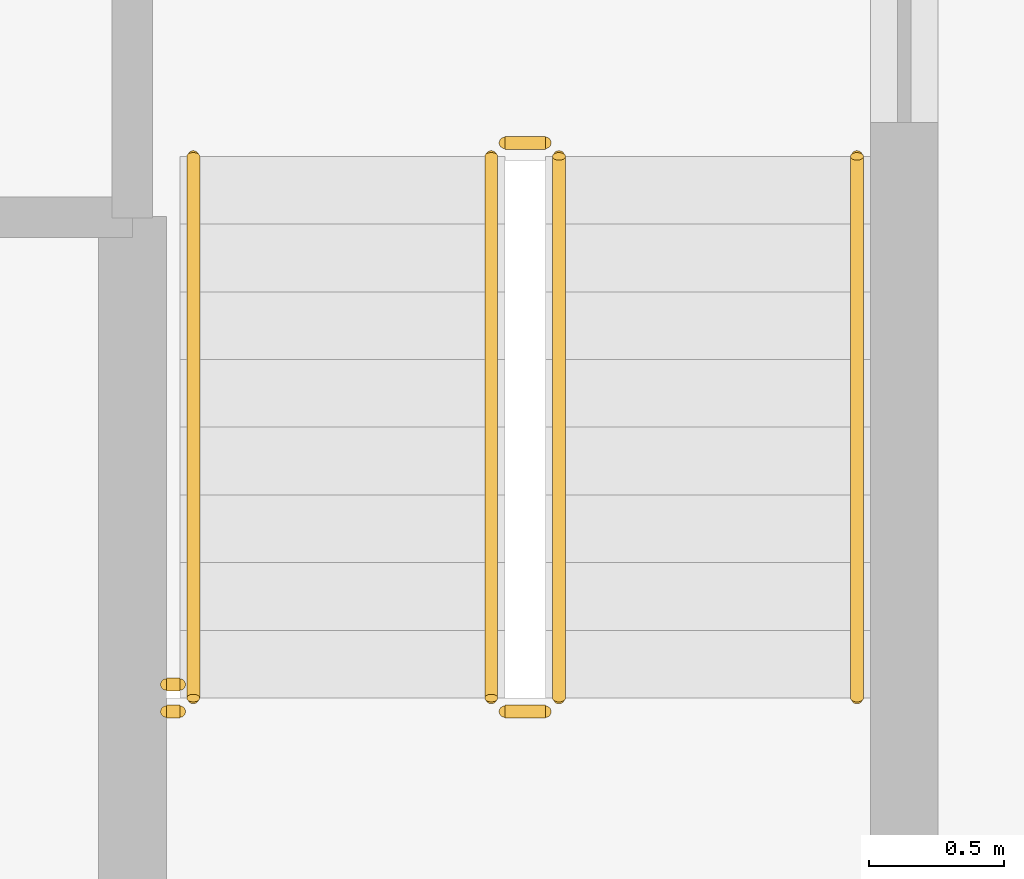
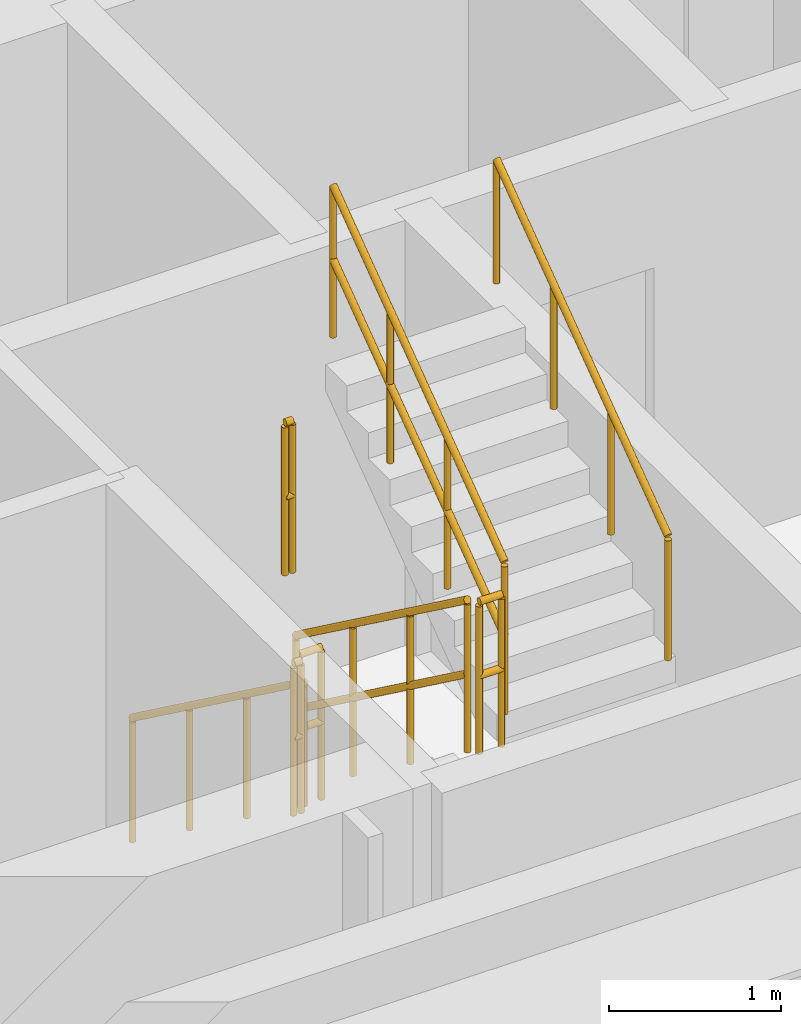
# One storey, part 13 of 15: 8 railings.
"""IFC4 building model written with IfcOpenShell, lengths in metres."""

import ifcopenshell
import ifcopenshell.guid

model = None  # the IFC model being written
_history = None  # IfcOwnerHistory: only IFC2X3 demands one
_inside = {}  # id of a spatial element -> (the spatial element, [elements in it])
_under = {}  # id of a project, library or spatial element -> (it, [spatial elements below it])
_declared = {}  # id of a project -> (the project, [libraries it declares])
_typed = {}  # id of a type object -> (the type object, [elements of that type])
_made_of = {}  # id of a material, layer set ... -> (it, [elements and type objects made of it])


def new_model(schema):
    """Start an empty IFC model of exactly this schema.

    Asked for "IFC4X3", IfcOpenShell would pick the latest addendum, in which some entities
    have other attributes; the version numbers below select the first issue.
    IFC2X3 requires an IfcOwnerHistory on every rooted entity: one is made here for all.
    """
    global model, _history
    if schema == "IFC4X3":
        model = ifcopenshell.file(schema_version=(4, 3, 0, 0))
    else:
        model = ifcopenshell.file(schema=schema)
    _inside.clear()
    _under.clear()
    _declared.clear()
    _typed.clear()
    _made_of.clear()
    _history = None
    if model.schema == "IFC2X3":
        org = make("IfcOrganization", Name="unknown")
        user = make(
            "IfcPersonAndOrganization",
            ThePerson=make("IfcPerson", FamilyName="unknown"),
            TheOrganization=org,
        )
        app = make(
            "IfcApplication",
            ApplicationDeveloper=org,
            Version="unknown",
            ApplicationFullName="unknown",
            ApplicationIdentifier="unknown",
        )
        _history = make(
            "IfcOwnerHistory",
            OwningUser=user,
            OwningApplication=app,
            ChangeAction="ADDED",
            CreationDate=0,
        )
    return model


def make(cls, **values):
    """One entity of the class cls with the attributes given. An attribute that is None is left unset."""
    return model.create_entity(
        cls, **{name: value for name, value in values.items() if value is not None}
    )


def rooted(cls, **values):
    """An entity with a GlobalId (a new one), such as an element, a storey or a relation."""
    return make(cls, GlobalId=ifcopenshell.guid.new(), OwnerHistory=_history, **values)


def si_unit(unit_type, name, prefix=None):
    """IfcSIUnit, for example si_unit("LENGTHUNIT", "METRE", prefix="MILLI")."""
    return make("IfcSIUnit", UnitType=unit_type, Prefix=prefix, Name=name)


def assignment(units):
    """IfcUnitAssignment: the units of a project."""
    return None if units is None else make("IfcUnitAssignment", Units=units)


def point(xyz):
    """IfcCartesianPoint."""
    return None if xyz is None else make("IfcCartesianPoint", Coordinates=xyz)


def direction(xyz):
    """IfcDirection."""
    return None if xyz is None else make("IfcDirection", DirectionRatios=xyz)


def frame(location, z_axis=None, x_axis=None):
    """IfcAxis2Placement3D, a coordinate frame: its origin and axes. An axis left out is left unset."""
    return make(
        "IfcAxis2Placement3D",
        Location=point(location),
        Axis=direction(z_axis),
        RefDirection=direction(x_axis),
    )


def frame_2d(location, x_axis=None):
    """IfcAxis2Placement2D, a coordinate frame in the plane: its origin and x axis."""
    return make(
        "IfcAxis2Placement2D", Location=point(location), RefDirection=direction(x_axis)
    )


def origin():
    """The frame at (0, 0, 0) with its axes left unset."""
    return frame((0.0, 0.0, 0.0))


def origin_2d():
    """The frame at (0, 0) in the plane with its x axis left unset."""
    return frame_2d((0.0, 0.0))


def place(relative_to, where):
    """IfcLocalPlacement: puts the frame where relative to a parent placement (None: the world)."""
    return make(
        "IfcLocalPlacement", PlacementRelTo=relative_to, RelativePlacement=where
    )


def context(
    kind, dimensions, precision=None, world=None, true_north=None, identifier=None
):
    """IfcGeometricRepresentationContext, for example the 3D "Model" context."""
    return make(
        "IfcGeometricRepresentationContext",
        ContextIdentifier=identifier,
        ContextType=kind,
        CoordinateSpaceDimension=dimensions,
        Precision=precision,
        WorldCoordinateSystem=world,
        TrueNorth=true_north,
    )


def subcontext(parent, identifier, kind, view, scale=None):
    """IfcGeometricRepresentationSubContext, for example "Body" below "Model"."""
    return make(
        "IfcGeometricRepresentationSubContext",
        ContextIdentifier=identifier,
        ContextType=kind,
        ParentContext=parent,
        TargetScale=scale,
        TargetView=view,
    )


def project(units=None, contexts=None):
    """IfcProject with its units and contexts."""
    return rooted(
        "IfcProject",
        Name="project",
        RepresentationContexts=contexts,
        UnitsInContext=assignment(units),
    )


def spatial(cls, under=None, at=None, **own):
    """A site, building, storey or space (cls), placed at a placement, below another one or the project."""
    s = rooted(cls, ObjectPlacement=at, **own)
    if under is not None:
        _under.setdefault(under.id(), (under, []))[1].append(s)
    return s


def profile(cls, at=None, kind="AREA", **sizes):
    """A parametric profile (cls). Its sizes go by their IFC names, for example OverallWidth=200.0."""
    return make(cls, ProfileType=kind, Position=at, **sizes)


def circle(**sizes):
    """IfcCircleProfileDef."""
    return profile("IfcCircleProfileDef", **sizes)


def extrude(swept, where, along, depth):
    """IfcExtrudedAreaSolid: the profile swept, set in the frame where, extruded along a direction by depth."""
    return make(
        "IfcExtrudedAreaSolid",
        SweptArea=swept,
        Position=where,
        ExtrudedDirection=direction(along),
        Depth=depth,
    )


def shape(context_of_items, identifier, shape_type, items):
    """IfcShapeRepresentation: the items that make up one representation, for example the "Body"."""
    return make(
        "IfcShapeRepresentation",
        ContextOfItems=context_of_items,
        RepresentationIdentifier=identifier,
        RepresentationType=shape_type,
        Items=items,
    )


def material(Name=None, Category=None):
    """IfcMaterial."""
    return make("IfcMaterial", Name=Name, Category=Category)


def made_of(thing, what):
    """Note that an element or type object is made of a material, layer set ...; save() writes the relation."""
    if what is not None:
        _made_of.setdefault(what.id(), (what, []))[1].append(thing)
    return thing


def type_object(cls, material=None, **own):
    """A type object (cls), such as IfcWallType, which elements share."""
    return made_of(rooted(cls, **own), material)


def element(
    cls,
    number,
    at=None,
    inside=None,
    cuts=None,
    type_object=None,
    material=None,
    context=None,
    identifier="Body",
    shape_type=None,
    held_by="IfcProductDefinitionShape",
    body=None,
    shapes=None,
    **own,
):
    """One element of the class cls, such as IfcWall. Its Tag is "e" and its number.

    at: its placement. inside: the storey or other place that contains it. cuts: it is an
    opening in that element (IfcRelVoidsElement). A single representation is given by context,
    identifier, shape_type and body (its items); several are given by shapes. held_by: the class
    of the entity that holds the representations. save() writes the other relations.
    """
    e = rooted(cls, Tag="e%d" % number, ObjectPlacement=at, **own)
    if body is not None:
        shapes = [shape(context, identifier, shape_type, body)]
    if shapes is not None:
        e.Representation = make(held_by, Representations=shapes)
    if inside is not None:
        _inside.setdefault(inside.id(), (inside, []))[1].append(e)
    if cuts is not None:
        rooted(
            "IfcRelVoidsElement", RelatingBuildingElement=cuts, RelatedOpeningElement=e
        )
    if type_object is not None:
        _typed.setdefault(type_object.id(), (type_object, []))[1].append(e)
    return made_of(e, material)


def aggregate(whole, parts):
    """IfcRelAggregates: a whole, such as a stair, and the parts it consists of."""
    return rooted("IfcRelAggregates", RelatingObject=whole, RelatedObjects=parts)


def save(model, path):
    """Write the relations noted so far, then the file.

    IfcRelAggregates (storeys below a building ...), IfcRelContainedInSpatialStructure (elements
    in a storey), IfcRelDefinesByType, IfcRelAssociatesMaterial and IfcRelDeclares: one each for
    every whole, place, type object, material and project.
    """
    for whole, parts in _under.values():
        aggregate(whole, parts)
    for where, things in _inside.values():
        rooted(
            "IfcRelContainedInSpatialStructure",
            RelatedElements=things,
            RelatingStructure=where,
        )
    for kind, things in _typed.values():
        rooted("IfcRelDefinesByType", RelatedObjects=things, RelatingType=kind)
    for what, things in _made_of.values():
        rooted("IfcRelAssociatesMaterial", RelatedObjects=things, RelatingMaterial=what)
    for by, libraries in _declared.values():
        rooted("IfcRelDeclares", RelatingContext=by, RelatedDefinitions=libraries)
    model.write(path)


model = new_model("IFC4")

# Units and contexts
model_context = context("Model", 3, precision=1e-05, world=origin(), true_north=direction((0.0, 1.0)))
body_context = subcontext(model_context, "Body", "Model", "MODEL_VIEW")
ifc_project = project(units=[si_unit("LENGTHUNIT", "METRE"), si_unit("AREAUNIT", "SQUARE_METRE"), si_unit("VOLUMEUNIT", "CUBIC_METRE"), si_unit("PLANEANGLEUNIT", "RADIAN"), si_unit("MASSUNIT", "GRAM", prefix="KILO")], contexts=[model_context])

# Site, building, storey
site_placement = place(None, origin())
site = spatial("IfcSite", under=ifc_project, at=site_placement, CompositionType="ELEMENT")
building_placement = place(site_placement, origin())
building = spatial("IfcBuilding", under=site, at=building_placement, Name="Nakaniwa Court", CompositionType="ELEMENT")
storey_placement = place(building_placement, frame((0.0, 0.0, 186.60009765625)))
storey = spatial("IfcBuildingStorey", under=building, at=storey_placement, Name="L48", CompositionType="ELEMENT", Elevation=186.60009765625)

# Railings
ifc_material_1 = material(Name="Black powder coated steel guard", Category="steel")
railing_type_1 = type_object("IfcRailingType", Name="Stair guard 1100", PredefinedType="GUARDRAIL", material=ifc_material_1)
railing_1_placement = place(storey_placement, frame((81.875, 61.824951171875, 0.183349609375)))
element("IfcRailing", 1, at=railing_1_placement, inside=storey, type_object=railing_type_1, Name="L48 ST4 stair guard 1", PredefinedType="GUARDRAIL", context=body_context, shape_type="SweptSolid", body=[
    extrude(circle(Radius=0.02392578125, at=origin_2d()), frame((0.0, 0.0, 1.076171875), z_axis=(0.0, -0.806426902644, 0.591333789573), x_axis=(1.0, 0.0, 0.0)), (0.0, 0.0, 1.0), 2.47998046875),
    extrude(circle(Radius=0.02392578125, at=origin_2d()), frame((0.0, 0.0, 0.550048828125), z_axis=(0.0, -0.806426902644, 0.591333789573), x_axis=(1.0, 0.0, 0.0)), (0.0, 0.0, 1.0), 2.47998046875),
    extrude(circle(Radius=0.02099609375, at=origin_2d()), origin(), (0.0, 0.0, 1.0), 1.052001953125),
    extrude(circle(Radius=0.02099609375, at=origin_2d()), frame((0.0, -0.666748046875, 0.48876953125)), (0.0, 0.0, 1.0), 1.052001953125),
    extrude(circle(Radius=0.02099609375, at=origin_2d()), frame((0.0, -1.333251953125, 0.977783203125)), (0.0, 0.0, 1.0), 1.052001953125),
    extrude(circle(Radius=0.02099609375, at=origin_2d()), frame((0.0, -2.0, 1.466552734375)), (0.0, 0.0, 1.0), 1.052001953125),
])
railing_2_placement = place(storey_placement, frame((81.925048828125, 59.77490234375, 1.64990234375)))
element("IfcRailing", 2, at=railing_2_placement, inside=storey, type_object=railing_type_1, Name="L48 ST4 stair guard 2", PredefinedType="GUARDRAIL", context=body_context, shape_type="SweptSolid", body=[
    extrude(circle(Radius=0.02392578125, at=origin_2d()), frame((0.0, 0.0, 1.076171875), z_axis=(1.0, 0.0, 0.0), x_axis=(0.0, 1.0, 0.0)), (0.0, 0.0, 1.0), 0.14990234375),
    extrude(circle(Radius=0.02392578125, at=origin_2d()), frame((0.0, 0.0, 0.550048828125), z_axis=(1.0, 0.0, 0.0), x_axis=(0.0, 1.0, 0.0)), (0.0, 0.0, 1.0), 0.14990234375),
    extrude(circle(Radius=0.02099609375, at=origin_2d()), origin(), (0.0, 0.0, 1.0), 1.052001953125),
    extrude(circle(Radius=0.02099609375, at=origin_2d()), frame((0.14990234375, 0.0, 0.0)), (0.0, 0.0, 1.0), 1.052001953125),
])
railing_3_placement = place(storey_placement, frame((82.125, 59.824951171875, 1.833251953125)))
element("IfcRailing", 3, at=railing_3_placement, inside=storey, type_object=railing_type_1, Name="L48 ST4 stair guard 3", PredefinedType="GUARDRAIL", context=body_context, shape_type="SweptSolid", body=[
    extrude(circle(Radius=0.02392578125, at=origin_2d()), frame((0.0, 0.0, 1.076171875), z_axis=(0.0, 0.806426902644, 0.591333789573), x_axis=(-1.0, 0.0, 0.0)), (0.0, 0.0, 1.0), 2.47998046875),
    extrude(circle(Radius=0.02392578125, at=origin_2d()), frame((0.0, 0.0, 0.550048828125), z_axis=(0.0, 0.806426902644, 0.591333789573), x_axis=(-1.0, 0.0, 0.0)), (0.0, 0.0, 1.0), 2.47998046875),
    extrude(circle(Radius=0.02099609375, at=origin_2d()), origin(), (0.0, 0.0, 1.0), 1.052001953125),
    extrude(circle(Radius=0.02099609375, at=origin_2d()), frame((0.0, 0.666748046875, 0.48876953125)), (0.0, 0.0, 1.0), 1.052001953125),
    extrude(circle(Radius=0.02099609375, at=origin_2d()), frame((0.0, 1.333251953125, 0.977783203125)), (0.0, 0.0, 1.0), 1.052001953125),
    extrude(circle(Radius=0.02099609375, at=origin_2d()), frame((0.0, 2.0, 1.466552734375)), (0.0, 0.0, 1.0), 1.052001953125),
])
railing_4_placement = place(storey_placement, frame((81.925048828125, 61.875, 0.0)))
element("IfcRailing", 4, at=railing_4_placement, inside=storey, type_object=railing_type_1, Name="L48 ST4 stair guard 4", PredefinedType="GUARDRAIL", context=body_context, shape_type="SweptSolid", body=[
    extrude(circle(Radius=0.02392578125, at=origin_2d()), frame((0.0, 0.0, 1.076171875), z_axis=(1.0, 0.0, 0.0), x_axis=(0.0, 1.0, 0.0)), (0.0, 0.0, 1.0), 0.14990234375),
    extrude(circle(Radius=0.02392578125, at=origin_2d()), frame((0.0, 0.0, 0.550048828125), z_axis=(1.0, 0.0, 0.0), x_axis=(0.0, 1.0, 0.0)), (0.0, 0.0, 1.0), 0.14990234375),
    extrude(circle(Radius=0.02099609375, at=origin_2d()), origin(), (0.0, 0.0, 1.0), 1.052001953125),
    extrude(circle(Radius=0.02099609375, at=origin_2d()), frame((0.14990234375, 0.0, 0.0)), (0.0, 0.0, 1.0), 1.052001953125),
])
for number, where, name in (
    (5, (80.675048828125, 59.77490234375, 1.64990234375), "L48 ST4 landing side guard 1W"),
    (6, (80.675048828125, 59.875, 3.2998046875), "L48 ST4 floor edge guard 1W"),
):
    element("IfcRailing", number, at=place(storey_placement, frame(where)), inside=storey, type_object=railing_type_1, Name=name, PredefinedType="GUARDRAIL", context=body_context, shape_type="SweptSolid", body=[
        extrude(circle(Radius=0.02392578125, at=origin_2d()), frame((0.0, 0.0, 1.076171875), z_axis=(1.0, 0.0, 0.0), x_axis=(0.0, 1.0, 0.0)), (0.0, 0.0, 1.0), 0.050048828125),
        extrude(circle(Radius=0.02392578125, at=origin_2d()), frame((0.0, 0.0, 0.550048828125), z_axis=(1.0, 0.0, 0.0), x_axis=(0.0, 1.0, 0.0)), (0.0, 0.0, 1.0), 0.050048828125),
        extrude(circle(Radius=0.02099609375, at=origin_2d()), origin(), (0.0, 0.0, 1.0), 1.052001953125),
        extrude(circle(Radius=0.02099609375, at=origin_2d()), frame((0.050048828125, 0.0, 0.0)), (0.0, 0.0, 1.0), 1.052001953125),
    ])
ifc_material_2 = material(Name="Black powder coated steel handrail", Category="steel")
railing_type_2 = type_object("IfcRailingType", Name="Stair handrail 900", PredefinedType="HANDRAIL", material=ifc_material_2)
railing_5_placement = place(storey_placement, frame((80.77490234375, 61.824951171875, 0.183349609375)))
element("IfcRailing", 7, at=railing_5_placement, inside=storey, type_object=railing_type_2, Name="L48 ST4 stair handrail 1", PredefinedType="HANDRAIL", context=body_context, shape_type="SweptSolid", body=[
    extrude(circle(Radius=0.02392578125, at=origin_2d()), frame((0.0, 0.0, 0.8759765625), z_axis=(0.0, -0.806426902644, 0.591333789573), x_axis=(1.0, 0.0, 0.0)), (0.0, 0.0, 1.0), 2.47998046875),
    extrude(circle(Radius=0.02099609375, at=origin_2d()), origin(), (0.0, 0.0, 1.0), 0.851806640625),
    extrude(circle(Radius=0.02099609375, at=origin_2d()), frame((0.0, -0.666748046875, 0.48876953125)), (0.0, 0.0, 1.0), 0.851806640625),
    extrude(circle(Radius=0.02099609375, at=origin_2d()), frame((0.0, -1.333251953125, 0.977783203125)), (0.0, 0.0, 1.0), 0.851806640625),
    extrude(circle(Radius=0.02099609375, at=origin_2d()), frame((0.0, -2.0, 1.466552734375)), (0.0, 0.0, 1.0), 0.851806640625),
])
railing_6_placement = place(storey_placement, frame((83.22509765625, 59.824951171875, 1.833251953125)))
element("IfcRailing", 8, at=railing_6_placement, inside=storey, type_object=railing_type_2, Name="L48 ST4 stair handrail 2", PredefinedType="HANDRAIL", context=body_context, shape_type="SweptSolid", body=[
    extrude(circle(Radius=0.02392578125, at=origin_2d()), frame((0.0, 0.0, 0.8759765625), z_axis=(0.0, 0.806426902644, 0.591333789573), x_axis=(-1.0, 0.0, 0.0)), (0.0, 0.0, 1.0), 2.47998046875),
    extrude(circle(Radius=0.02099609375, at=origin_2d()), origin(), (0.0, 0.0, 1.0), 0.851806640625),
    extrude(circle(Radius=0.02099609375, at=origin_2d()), frame((0.0, 0.666748046875, 0.48876953125)), (0.0, 0.0, 1.0), 0.851806640625),
    extrude(circle(Radius=0.02099609375, at=origin_2d()), frame((0.0, 1.333251953125, 0.977783203125)), (0.0, 0.0, 1.0), 0.851806640625),
    extrude(circle(Radius=0.02099609375, at=origin_2d()), frame((0.0, 2.0, 1.466552734375)), (0.0, 0.0, 1.0), 0.851806640625),
])

save(model, "model.ifc")
